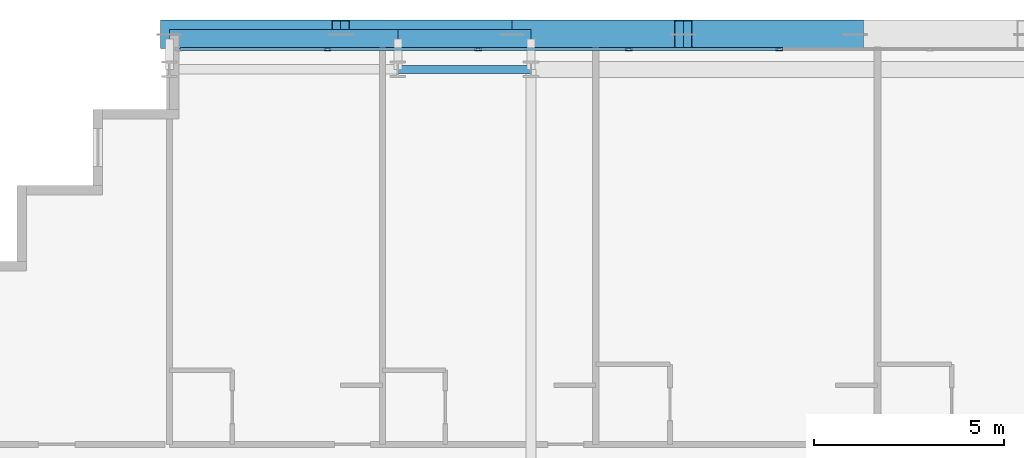
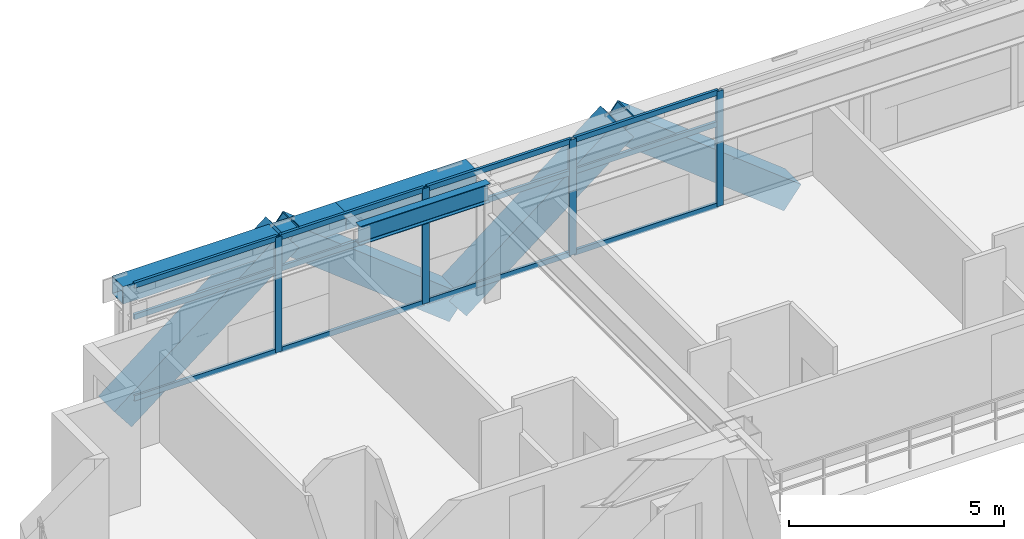
# One storey, part 18 of 36: 20 members, 3 beams, 1 element without a shape of its own.
"""IFC4 building model written with IfcOpenShell, lengths in metres."""

from ifc_helpers import new_model, si_unit, direction, frame, origin, origin_2d, place, context, subcontext, project, spatial, hollow_rectangle, i_section, extrude, source, transform, mapped, material, layer, layer_set, material_profile, profile_set, type_object, element, aggregate, save


model = new_model("IFC4")

# Units and contexts
model_context = context("Model", 3, precision=1e-05, world=origin(), true_north=direction((0.0, 1.0)))
body_context = subcontext(model_context, "Body", "Model", "MODEL_VIEW")
ifc_project = project(units=[si_unit("LENGTHUNIT", "METRE"), si_unit("AREAUNIT", "SQUARE_METRE"), si_unit("VOLUMEUNIT", "CUBIC_METRE"), si_unit("PLANEANGLEUNIT", "RADIAN"), si_unit("MASSUNIT", "GRAM", prefix="KILO")], contexts=[model_context])

# Site, building, storey
site_placement = place(None, origin())
site = spatial("IfcSite", under=ifc_project, at=site_placement, CompositionType="ELEMENT")
building_placement = place(site_placement, origin())
building = spatial("IfcBuilding", under=site, at=building_placement, Name="Ocotamira Hotel", CompositionType="ELEMENT")
storey_placement = place(building_placement, frame((0.0, 0.0, 147.60009765625)))
storey = spatial("IfcBuildingStorey", under=building, at=storey_placement, Name="L37", CompositionType="ELEMENT", Elevation=147.60009765625)

# Beams
ifc_material_1 = material(Name="Steel ASTM A992 Grade 50", Category="steel")
ifc_material_profile_1 = material_profile(ifc_material_1, i_section(OverallWidth=0.2099609375, OverallDepth=0.537109375, WebThickness=0.010986328125, FlangeThickness=0.017333984375, FilletRadius=0.012939453125, at=origin_2d()), Name="W21X68")
ifc_profile_set_1 = profile_set([ifc_material_profile_1], Name="Steel ASTM A992 Grade 50")
beam_type_1 = type_object("IfcBeamType", Name="BM-SEC-W21X68", PredefinedType="JOIST", material=ifc_profile_set_1)
shared_shape_1 = source(origin(), body_context, "Body", "SweptSolid", [
    extrude(i_section(OverallWidth=0.2099609375, OverallDepth=0.537109375, WebThickness=0.010986328125, FlangeThickness=0.017333984375, FilletRadius=0.012939453125, at=origin_2d()), origin(), (0.0, 0.0, 1.0), 3.5),
])
beam_1_placement = place(storey_placement, frame((20.0, 49.050048828125, 3.011474609375), z_axis=(1.0, 0.0, 0.0), x_axis=(0.0, 1.0, 0.0)))
element("IfcBeam", 1, at=beam_1_placement, inside=storey, type_object=beam_type_1, Name="L37 Girder Y49.05 X20-23.5", PredefinedType="JOIST", context=body_context, shape_type="MappedRepresentation", body=[
    mapped(shared_shape_1, transform((0.0, 0.0, 0.0), scale=1.0)),
])
ifc_material_2 = material(Name="Steel ASTM A500 Grade C", Category="steel")
ifc_material_profile_2 = material_profile(ifc_material_2, hollow_rectangle(XDim=0.5, YDim=0.5, WallThickness=0.02001953125, at=origin_2d()), Name="HSS500X500X20")
ifc_profile_set_2 = profile_set([ifc_material_profile_2], Name="Steel ASTM A500 Grade C")
beam_type_2 = type_object("IfcBeamType", Name="BM-SPAN-HSS500", PredefinedType="USERDEFINED", material=ifc_profile_set_2)
shared_shape_2 = source(origin(), body_context, "Body", "SweptSolid", [
    extrude(hollow_rectangle(XDim=0.5, YDim=0.5, WallThickness=0.02001953125, at=origin_2d()), origin(), (0.0, 0.0, 1.0), 6.0),
])
beam_2_placement = place(storey_placement, frame((14.0, 49.85009765625, 3.02978515625), z_axis=(1.0, 0.0, 0.0), x_axis=(0.0, 1.0, 0.0)))
element("IfcBeam", 2, at=beam_2_placement, inside=storey, type_object=beam_type_2, Name="L37 Edge Spandrel N X14-20", ObjectType="SPANDREL", PredefinedType="USERDEFINED", context=body_context, shape_type="MappedRepresentation", body=[
    mapped(shared_shape_2, transform((0.0, 0.0, 0.0), scale=1.0)),
])
shared_shape_3 = source(origin(), body_context, "Body", "SweptSolid", [
    extrude(hollow_rectangle(XDim=0.5, YDim=0.5, WallThickness=0.02001953125, at=origin_2d()), origin(), (0.0, 0.0, 1.0), 3.5),
])
beam_3_placement = place(storey_placement, frame((20.0, 49.85009765625, 3.02978515625), z_axis=(1.0, 0.0, 0.0), x_axis=(0.0, 1.0, 0.0)))
element("IfcBeam", 3, at=beam_3_placement, inside=storey, type_object=beam_type_2, Name="L37 Edge Spandrel N X20-23.5", ObjectType="SPANDREL", PredefinedType="USERDEFINED", context=body_context, shape_type="MappedRepresentation", body=[
    mapped(shared_shape_3, transform((0.0, 0.0, 0.0), scale=1.0)),
])

# Members
ifc_material_3 = material(Name="Pale-metal coated steel ASTM A913 Grade 65", Category="steel")
ifc_material_profile_3 = material_profile(ifc_material_3, hollow_rectangle(XDim=0.75, YDim=0.75, WallThickness=0.028076171875, at=origin_2d()), Name="BOX750X750X28")
ifc_profile_set_3 = profile_set([ifc_material_profile_3], Name="Pale-metal coated steel ASTM A913 Grade 65")
member_type_1 = type_object("IfcMemberType", Name="MEM-EXO-BOX750", PredefinedType="BRACE", material=ifc_profile_set_3)
shared_shape_4 = source(origin(), body_context, "Body", "SweptSolid", [
    extrude(hollow_rectangle(XDim=0.75, YDim=0.75, WallThickness=0.028076171875, at=origin_2d()), origin(), (0.0, 0.0, 1.0), 5.713134765625),
])
for number, where, z_axis, x_axis, name in (
    (4, (14.0, 49.969970703125, -0.489990234375), (0.787671799809, 0.0, 0.616095070412), (0.0, 1.0, 0.0), "L37 Exoskeleton Diagrid N0.1"),
    (5, (23.0, 49.969970703125, -0.489990234375), (-0.787671799809, 0.0, 0.616095070412), (0.0, -1.0, 0.0), "L37 Exoskeleton Diagrid N0.2"),
    (6, (23.0, 49.969970703125, -0.489990234375), (0.787671799809, 0.0, 0.616095070412), (0.0, 1.0, 0.0), "L37 Exoskeleton Diagrid N1.1"),
    (7, (32.0, 49.969970703125, -0.489990234375), (-0.787671799809, 0.0, 0.616095070412), (0.0, -1.0, 0.0), "L37 Exoskeleton Diagrid N1.2"),
):
    element("IfcMember", number, at=place(storey_placement, frame(where, z_axis=z_axis, x_axis=x_axis)), inside=storey, type_object=member_type_1, Name=name, PredefinedType="BRACE", context=body_context, shape_type="MappedRepresentation", body=[
        mapped(shared_shape_4, transform((0.0, 0.0, 0.0), scale=1.0)),
    ])

# Curtain wall, members
ifc_material_4 = material(Name="Anodised pale-metal aluminium and solar glass", Category="aluminium")
ifc_layer = layer(ifc_material_4, 0.179931640625)
ifc_layer_set = layer_set([ifc_layer], Name="Anodised pale-metal aluminium and solar glass")
curtain_wall_type = type_object("IfcCurtainWallType", Name="CW-SYS3-Z2", PredefinedType="NOTDEFINED", material=ifc_layer_set)
curtain_wall_placement = place(storey_placement, origin())
curtain_wall = element("IfcCurtainWall", 8, at=curtain_wall_placement, inside=storey, type_object=curtain_wall_type, Name="L37 Curtain Wall CW-3 CW-L37-N", PredefinedType="NOTDEFINED")
ifc_material_5 = material(Name="Anodised pale-metal aluminium 6063-T6", Category="aluminium")
ifc_material_profile_4 = material_profile(ifc_material_5, hollow_rectangle(XDim=0.074951171875, YDim=0.14990234375, WallThickness=0.006103515625, at=origin_2d()), Name="HSS150X75X6")
ifc_profile_set_4 = profile_set([ifc_material_profile_4], Name="Anodised pale-metal aluminium 6063-T6")
member_type_2 = type_object("IfcMemberType", Name="CWT-150X75", PredefinedType="USERDEFINED", material=ifc_profile_set_4)
shared_shape_5 = source(origin(), body_context, "Body", "SweptSolid", [
    extrude(hollow_rectangle(XDim=0.074951171875, YDim=0.14990234375, WallThickness=0.006103515625, at=origin_2d()), origin(), (0.0, 0.0, 1.0), 3.83544921875),
])
member_1_placement = place(storey_placement, frame((14.280029296875, 49.580078125, 0.037353515625), z_axis=(1.0, 0.0, 0.0), x_axis=(0.0, 1.0, 0.0)))
member_1 = element("IfcMember", 9, at=member_1_placement, type_object=member_type_2, Name="CW-3 transom 1.1", ObjectType="TRANSOM", PredefinedType="USERDEFINED", context=body_context, shape_type="MappedRepresentation", body=[
    mapped(shared_shape_5, transform((0.0, 0.0, 0.0), scale=1.0)),
])
member_2_placement = place(storey_placement, frame((14.280029296875, 49.580078125, 2.349853515625), z_axis=(1.0, 0.0, 0.0), x_axis=(0.0, 1.0, 0.0)))
member_2 = element("IfcMember", 10, at=member_2_placement, type_object=member_type_2, Name="CW-3 transom 1.2", ObjectType="TRANSOM", PredefinedType="USERDEFINED", context=body_context, shape_type="MappedRepresentation", body=[
    mapped(shared_shape_5, transform((0.0, 0.0, 0.0), scale=1.0)),
])
member_3_placement = place(storey_placement, frame((14.280029296875, 49.580078125, 3.242431640625), z_axis=(1.0, 0.0, 0.0), x_axis=(0.0, 1.0, 0.0)))
member_3 = element("IfcMember", 11, at=member_3_placement, type_object=member_type_2, Name="CW-3 transom 1.3", ObjectType="TRANSOM", PredefinedType="USERDEFINED", context=body_context, shape_type="MappedRepresentation", body=[
    mapped(shared_shape_5, transform((0.0, 0.0, 0.0), scale=1.0)),
])
shared_shape_6 = source(origin(), body_context, "Body", "SweptSolid", [
    extrude(hollow_rectangle(XDim=0.074951171875, YDim=0.14990234375, WallThickness=0.006103515625, at=origin_2d()), origin(), (0.0, 0.0, 1.0), 3.87548828125),
])
member_4_placement = place(storey_placement, frame((18.195556640625, 49.580078125, 0.037353515625), z_axis=(1.0, 0.0, 0.0), x_axis=(0.0, 1.0, 0.0)))
member_4 = element("IfcMember", 12, at=member_4_placement, type_object=member_type_2, Name="CW-3 transom 2.1", ObjectType="TRANSOM", PredefinedType="USERDEFINED", context=body_context, shape_type="MappedRepresentation", body=[
    mapped(shared_shape_6, transform((0.0, 0.0, 0.0), scale=1.0)),
])
member_5_placement = place(storey_placement, frame((18.195556640625, 49.580078125, 2.349853515625), z_axis=(1.0, 0.0, 0.0), x_axis=(0.0, 1.0, 0.0)))
member_5 = element("IfcMember", 13, at=member_5_placement, type_object=member_type_2, Name="CW-3 transom 2.2", ObjectType="TRANSOM", PredefinedType="USERDEFINED", context=body_context, shape_type="MappedRepresentation", body=[
    mapped(shared_shape_6, transform((0.0, 0.0, 0.0), scale=1.0)),
])
member_6_placement = place(storey_placement, frame((18.195556640625, 49.580078125, 3.242431640625), z_axis=(1.0, 0.0, 0.0), x_axis=(0.0, 1.0, 0.0)))
member_6 = element("IfcMember", 14, at=member_6_placement, type_object=member_type_2, Name="CW-3 transom 2.3", ObjectType="TRANSOM", PredefinedType="USERDEFINED", context=body_context, shape_type="MappedRepresentation", body=[
    mapped(shared_shape_6, transform((0.0, 0.0, 0.0), scale=1.0)),
])
member_7_placement = place(storey_placement, frame((22.151123046875, 49.580078125, 0.037353515625), z_axis=(1.0, 0.0, 0.0), x_axis=(0.0, 1.0, 0.0)))
member_7 = element("IfcMember", 15, at=member_7_placement, type_object=member_type_2, Name="CW-3 transom 3.1", ObjectType="TRANSOM", PredefinedType="USERDEFINED", context=body_context, shape_type="MappedRepresentation", body=[
    mapped(shared_shape_6, transform((0.0, 0.0, 0.0), scale=1.0)),
])
member_8_placement = place(storey_placement, frame((22.151123046875, 49.580078125, 2.349853515625), z_axis=(1.0, 0.0, 0.0), x_axis=(0.0, 1.0, 0.0)))
member_8 = element("IfcMember", 16, at=member_8_placement, type_object=member_type_2, Name="CW-3 transom 3.2", ObjectType="TRANSOM", PredefinedType="USERDEFINED", context=body_context, shape_type="MappedRepresentation", body=[
    mapped(shared_shape_6, transform((0.0, 0.0, 0.0), scale=1.0)),
])
member_9_placement = place(storey_placement, frame((22.151123046875, 49.580078125, 3.242431640625), z_axis=(1.0, 0.0, 0.0), x_axis=(0.0, 1.0, 0.0)))
member_9 = element("IfcMember", 17, at=member_9_placement, type_object=member_type_2, Name="CW-3 transom 3.3", ObjectType="TRANSOM", PredefinedType="USERDEFINED", context=body_context, shape_type="MappedRepresentation", body=[
    mapped(shared_shape_6, transform((0.0, 0.0, 0.0), scale=1.0)),
])
member_10_placement = place(storey_placement, frame((26.106689453125, 49.580078125, 0.037353515625), z_axis=(1.0, 0.0, 0.0), x_axis=(0.0, 1.0, 0.0)))
member_10 = element("IfcMember", 18, at=member_10_placement, type_object=member_type_2, Name="CW-3 transom 4.1", ObjectType="TRANSOM", PredefinedType="USERDEFINED", context=body_context, shape_type="MappedRepresentation", body=[
    mapped(shared_shape_6, transform((0.0, 0.0, 0.0), scale=1.0)),
])
member_11_placement = place(storey_placement, frame((26.106689453125, 49.580078125, 2.349853515625), z_axis=(1.0, 0.0, 0.0), x_axis=(0.0, 1.0, 0.0)))
member_11 = element("IfcMember", 19, at=member_11_placement, type_object=member_type_2, Name="CW-3 transom 4.2", ObjectType="TRANSOM", PredefinedType="USERDEFINED", context=body_context, shape_type="MappedRepresentation", body=[
    mapped(shared_shape_6, transform((0.0, 0.0, 0.0), scale=1.0)),
])
member_12_placement = place(storey_placement, frame((26.106689453125, 49.580078125, 3.242431640625), z_axis=(1.0, 0.0, 0.0), x_axis=(0.0, 1.0, 0.0)))
member_12 = element("IfcMember", 20, at=member_12_placement, type_object=member_type_2, Name="CW-3 transom 4.3", ObjectType="TRANSOM", PredefinedType="USERDEFINED", context=body_context, shape_type="MappedRepresentation", body=[
    mapped(shared_shape_6, transform((0.0, 0.0, 0.0), scale=1.0)),
])
ifc_material_profile_5 = material_profile(ifc_material_5, hollow_rectangle(XDim=0.080078125, YDim=0.179931640625, WallThickness=0.006103515625, at=origin_2d()), Name="HSS180X80X6")
ifc_profile_set_5 = profile_set([ifc_material_profile_5], Name="Anodised pale-metal aluminium 6063-T6")
member_type_3 = type_object("IfcMemberType", Name="CWM-180X75", PredefinedType="MULLION", material=ifc_profile_set_5)
shared_shape_7 = source(origin(), body_context, "Body", "SweptSolid", [
    extrude(hollow_rectangle(XDim=0.080078125, YDim=0.179931640625, WallThickness=0.006103515625, at=origin_2d()), origin(), (0.0, 0.0, 1.0), 3.27978515625),
])
member_13_placement = place(storey_placement, frame((18.155517578125, 49.580078125, 0.0), z_axis=(0.0, 0.0, 1.0), x_axis=(0.0, 1.0, 0.0)))
member_13 = element("IfcMember", 21, at=member_13_placement, type_object=member_type_3, Name="CW-3 mullion 2", PredefinedType="MULLION", context=body_context, shape_type="MappedRepresentation", body=[
    mapped(shared_shape_7, transform((0.0, 0.0, 0.0), scale=1.0)),
])
member_14_placement = place(storey_placement, frame((22.111083984375, 49.580078125, 0.0), z_axis=(0.0, 0.0, 1.0), x_axis=(0.0, 1.0, 0.0)))
member_14 = element("IfcMember", 22, at=member_14_placement, type_object=member_type_3, Name="CW-3 mullion 3", PredefinedType="MULLION", context=body_context, shape_type="MappedRepresentation", body=[
    mapped(shared_shape_7, transform((0.0, 0.0, 0.0), scale=1.0)),
])
member_15_placement = place(storey_placement, frame((26.066650390625, 49.580078125, 0.0), z_axis=(0.0, 0.0, 1.0), x_axis=(0.0, 1.0, 0.0)))
member_15 = element("IfcMember", 23, at=member_15_placement, type_object=member_type_3, Name="CW-3 mullion 4", PredefinedType="MULLION", context=body_context, shape_type="MappedRepresentation", body=[
    mapped(shared_shape_7, transform((0.0, 0.0, 0.0), scale=1.0)),
])
member_16_placement = place(storey_placement, frame((30.022216796875, 49.580078125, 0.0), z_axis=(0.0, 0.0, 1.0), x_axis=(0.0, 1.0, 0.0)))
member_16 = element("IfcMember", 24, at=member_16_placement, type_object=member_type_3, Name="CW-3 mullion 5", PredefinedType="MULLION", context=body_context, shape_type="MappedRepresentation", body=[
    mapped(shared_shape_7, transform((0.0, 0.0, 0.0), scale=1.0)),
])
aggregate(curtain_wall, [member_13, member_14, member_15, member_16, member_1, member_2, member_3, member_4, member_5, member_6, member_7, member_8, member_9, member_10, member_11, member_12])

save(model, "model.ifc")
